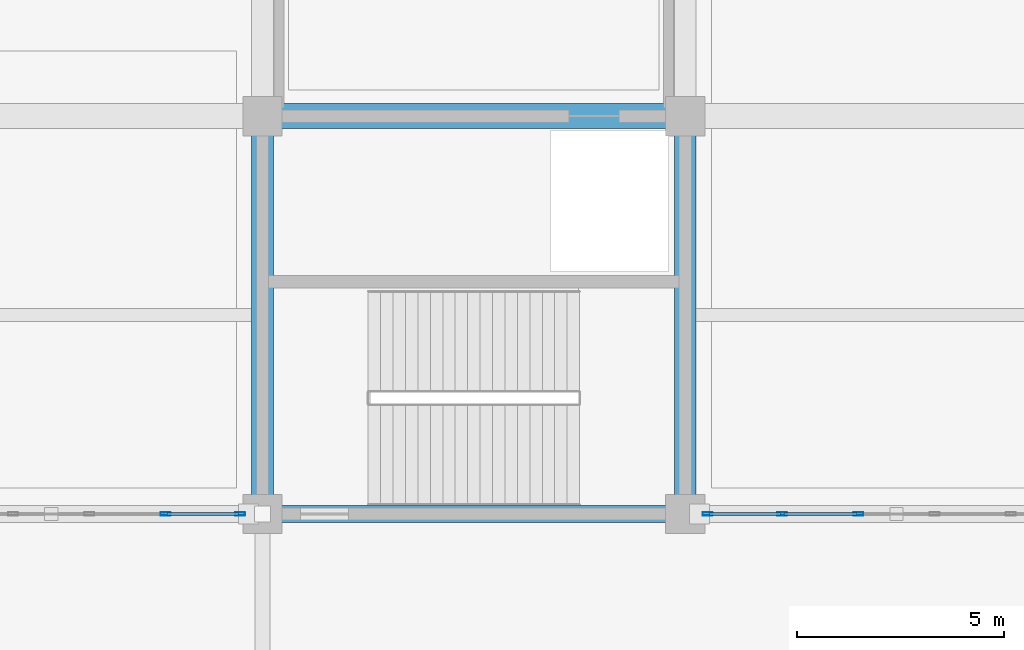
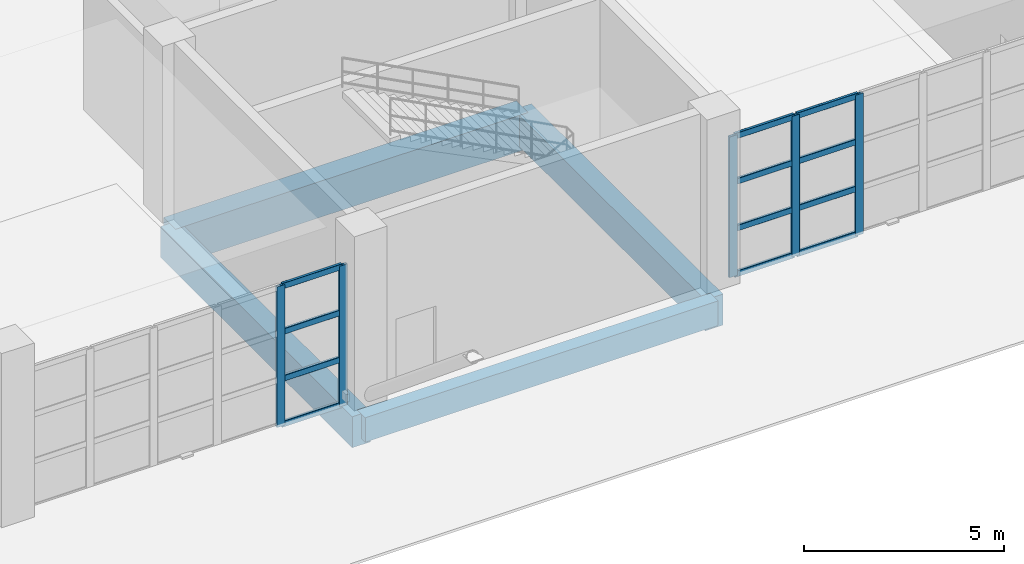
# One storey, part 58 of 124: 17 members, 4 beams, 2 elements without a shape of their own.
"""IFC4 building model written with IfcOpenShell, lengths in metres."""

from ifc_helpers import new_model, si_unit, direction, frame, origin, origin_2d, place, context, subcontext, project, spatial, rectangle, hollow_rectangle, extrude, material, material_profile, profile_set, type_object, element, aggregate, save


model = new_model("IFC4")

# Units and contexts
model_context = context("Model", 3, precision=1e-05, world=origin(), true_north=direction((0.0, 1.0)))
body_context = subcontext(model_context, "Body", "Model", "MODEL_VIEW")
ifc_project = project(units=[si_unit("LENGTHUNIT", "METRE"), si_unit("AREAUNIT", "SQUARE_METRE"), si_unit("VOLUMEUNIT", "CUBIC_METRE"), si_unit("PLANEANGLEUNIT", "RADIAN"), si_unit("MASSUNIT", "GRAM", prefix="KILO")], contexts=[model_context])

# Site, building, storey
site_placement = place(None, origin())
site = spatial("IfcSite", under=ifc_project, at=site_placement, CompositionType="ELEMENT")
building_placement = place(site_placement, origin())
building = spatial("IfcBuilding", under=site, at=building_placement, Name="Brelvane Convention Centre", CompositionType="ELEMENT")
storey_placement = place(building_placement, origin())
storey = spatial("IfcBuildingStorey", under=building, at=storey_placement, Name="L00", CompositionType="ELEMENT", Elevation=0.0)

# Curtain wall, members
ifc_material_1 = material(Name="Anodised Aluminium Alloy 6063-T6", Category="aluminium")
curtain_wall_type = type_object("IfcCurtainWallType", Name="Curtain Wall CW-CONC", PredefinedType="USERDEFINED", material=ifc_material_1)
curtain_wall_1_placement = place(storey_placement, origin())
curtain_wall_1 = element("IfcCurtainWall", 1, at=curtain_wall_1_placement, inside=storey, type_object=curtain_wall_type, Name="Curtain Wall CW-CONC L00-V1S-19", ObjectType="UNITISED", PredefinedType="USERDEFINED")
ifc_material_2 = material(Name="Anodised Aluminium Alloy 6063-T6", Category="aluminium")
ifc_material_profile_1 = material_profile(ifc_material_2, hollow_rectangle(XDim=0.080078125, YDim=0.239990234375, WallThickness=0.006103515625, InnerFilletRadius=0.006103515625, OuterFilletRadius=0.011962890625, at=origin_2d()), Name="ALU-M 240x80x6.0")
ifc_profile_set_1 = profile_set([ifc_material_profile_1], Name="Anodised Aluminium Alloy 6063-T6")
member_type_1 = type_object("IfcMemberType", Name="Curtain Mullion CW-M1", PredefinedType="MULLION", material=ifc_profile_set_1)
member_1_placement = place(storey_placement, frame((191.4599609375, 19.199951171875, 0.0), z_axis=(0.0, 0.0, 1.0), x_axis=(0.0, 1.0, 0.0)))
member_1 = element("IfcMember", 2, at=member_1_placement, type_object=member_type_1, Name="CW-CONC mullion 5", PredefinedType="MULLION", context=body_context, shape_type="SweptSolid", body=[
    extrude(hollow_rectangle(XDim=0.080078125, YDim=0.239990234375, WallThickness=0.006103515625, InnerFilletRadius=0.006103515625, OuterFilletRadius=0.011962890625, at=origin_2d()), origin(), (0.0, 0.0, 1.0), 4.300048828125),
])
member_2_placement = place(storey_placement, frame((193.260009765625, 19.199951171875, 0.0), z_axis=(0.0, 0.0, 1.0), x_axis=(0.0, 1.0, 0.0)))
member_2 = element("IfcMember", 3, at=member_2_placement, type_object=member_type_1, Name="CW-CONC mullion 6", PredefinedType="MULLION", context=body_context, shape_type="SweptSolid", body=[
    extrude(hollow_rectangle(XDim=0.080078125, YDim=0.239990234375, WallThickness=0.006103515625, InnerFilletRadius=0.006103515625, OuterFilletRadius=0.011962890625, at=origin_2d()), origin(), (0.0, 0.0, 1.0), 4.300048828125),
])

curtain_wall_2_placement = place(storey_placement, origin())
curtain_wall_2 = element("IfcCurtainWall", 4, at=curtain_wall_2_placement, inside=storey, type_object=curtain_wall_type, Name="Curtain Wall CW-CONC L00-V1S-21", ObjectType="UNITISED", PredefinedType="USERDEFINED")
member_3_placement = place(storey_placement, frame((204.5400390625, 19.199951171875, 0.0), z_axis=(0.0, 0.0, 1.0), x_axis=(0.0, 1.0, 0.0)))
member_3 = element("IfcMember", 5, at=member_3_placement, type_object=member_type_1, Name="CW-CONC mullion 1", PredefinedType="MULLION", context=body_context, shape_type="SweptSolid", body=[
    extrude(hollow_rectangle(XDim=0.080078125, YDim=0.239990234375, WallThickness=0.006103515625, InnerFilletRadius=0.006103515625, OuterFilletRadius=0.011962890625, at=origin_2d()), origin(), (0.0, 0.0, 1.0), 4.300048828125),
])
member_4_placement = place(storey_placement, frame((206.340087890625, 19.199951171875, 0.0), z_axis=(0.0, 0.0, 1.0), x_axis=(0.0, 1.0, 0.0)))
member_4 = element("IfcMember", 6, at=member_4_placement, type_object=member_type_1, Name="CW-CONC mullion 2", PredefinedType="MULLION", context=body_context, shape_type="SweptSolid", body=[
    extrude(hollow_rectangle(XDim=0.080078125, YDim=0.239990234375, WallThickness=0.006103515625, InnerFilletRadius=0.006103515625, OuterFilletRadius=0.011962890625, at=origin_2d()), origin(), (0.0, 0.0, 1.0), 4.300048828125),
])
member_5_placement = place(storey_placement, frame((208.179931640625, 19.199951171875, 0.0), z_axis=(0.0, 0.0, 1.0), x_axis=(0.0, 1.0, 0.0)))
member_5 = element("IfcMember", 7, at=member_5_placement, type_object=member_type_1, Name="CW-CONC mullion 3", PredefinedType="MULLION", context=body_context, shape_type="SweptSolid", body=[
    extrude(hollow_rectangle(XDim=0.080078125, YDim=0.239990234375, WallThickness=0.006103515625, InnerFilletRadius=0.006103515625, OuterFilletRadius=0.011962890625, at=origin_2d()), origin(), (0.0, 0.0, 1.0), 4.300048828125),
])

# Member
ifc_material_3 = material(Name="Anodised Aluminium Alloy 6063-T6", Category="aluminium")
ifc_material_profile_2 = material_profile(ifc_material_3, hollow_rectangle(XDim=0.080078125, YDim=0.179931640625, WallThickness=0.0048828125, InnerFilletRadius=0.0048828125, OuterFilletRadius=0.010009765625, at=origin_2d()), Name="ALU-T 180x80x5.0")
ifc_profile_set_2 = profile_set([ifc_material_profile_2], Name="Anodised Aluminium Alloy 6063-T6")
member_type_2 = type_object("IfcMemberType", Name="Curtain Transom CW-T1", PredefinedType="USERDEFINED", material=ifc_profile_set_2)
member_6_placement = place(storey_placement, frame((191.5, 19.199951171875, 0.0400390625), z_axis=(1.0, 0.0, 0.0), x_axis=(0.0, 1.0, 0.0)))
member_6 = element("IfcMember", 8, at=member_6_placement, type_object=member_type_2, Name="CW-CONC transom 5.1", ObjectType="TRANSOM", PredefinedType="USERDEFINED", context=body_context, shape_type="SweptSolid", body=[
    extrude(hollow_rectangle(XDim=0.080078125, YDim=0.179931640625, WallThickness=0.0048828125, InnerFilletRadius=0.0048828125, OuterFilletRadius=0.010009765625, at=origin_2d()), origin(), (0.0, 0.0, 1.0), 1.719970703125),
])

member_7_placement = place(storey_placement, frame((191.5, 19.199951171875, 1.433349609375), z_axis=(1.0, 0.0, 0.0), x_axis=(0.0, 1.0, 0.0)))
member_7 = element("IfcMember", 9, at=member_7_placement, type_object=member_type_2, Name="CW-CONC transom 5.2", ObjectType="TRANSOM", PredefinedType="USERDEFINED", context=body_context, shape_type="SweptSolid", body=[
    extrude(hollow_rectangle(XDim=0.080078125, YDim=0.179931640625, WallThickness=0.0048828125, InnerFilletRadius=0.0048828125, OuterFilletRadius=0.010009765625, at=origin_2d()), origin(), (0.0, 0.0, 1.0), 1.719970703125),
])

member_8_placement = place(storey_placement, frame((191.5, 19.199951171875, 2.86669921875), z_axis=(1.0, 0.0, 0.0), x_axis=(0.0, 1.0, 0.0)))
member_8 = element("IfcMember", 10, at=member_8_placement, type_object=member_type_2, Name="CW-CONC transom 5.3", ObjectType="TRANSOM", PredefinedType="USERDEFINED", context=body_context, shape_type="SweptSolid", body=[
    extrude(hollow_rectangle(XDim=0.080078125, YDim=0.179931640625, WallThickness=0.0048828125, InnerFilletRadius=0.0048828125, OuterFilletRadius=0.010009765625, at=origin_2d()), origin(), (0.0, 0.0, 1.0), 1.719970703125),
])

member_9_placement = place(storey_placement, frame((191.5, 19.199951171875, 4.260009765625), z_axis=(1.0, 0.0, 0.0), x_axis=(0.0, 1.0, 0.0)))
member_9 = element("IfcMember", 11, at=member_9_placement, type_object=member_type_2, Name="CW-CONC transom 5.4", ObjectType="TRANSOM", PredefinedType="USERDEFINED", context=body_context, shape_type="SweptSolid", body=[
    extrude(hollow_rectangle(XDim=0.080078125, YDim=0.179931640625, WallThickness=0.0048828125, InnerFilletRadius=0.0048828125, OuterFilletRadius=0.010009765625, at=origin_2d()), origin(), (0.0, 0.0, 1.0), 1.719970703125),
])

aggregate(curtain_wall_1, [member_1, member_2, member_6, member_7, member_8, member_9])

member_10_placement = place(storey_placement, frame((204.580078125, 19.199951171875, 0.0400390625), z_axis=(1.0, 0.0, 0.0), x_axis=(0.0, 1.0, 0.0)))
member_10 = element("IfcMember", 12, at=member_10_placement, type_object=member_type_2, Name="CW-CONC transom 1.1", ObjectType="TRANSOM", PredefinedType="USERDEFINED", context=body_context, shape_type="SweptSolid", body=[
    extrude(hollow_rectangle(XDim=0.080078125, YDim=0.179931640625, WallThickness=0.0048828125, InnerFilletRadius=0.0048828125, OuterFilletRadius=0.010009765625, at=origin_2d()), origin(), (0.0, 0.0, 1.0), 1.719970703125),
])

member_11_placement = place(storey_placement, frame((204.580078125, 19.199951171875, 1.433349609375), z_axis=(1.0, 0.0, 0.0), x_axis=(0.0, 1.0, 0.0)))
member_11 = element("IfcMember", 13, at=member_11_placement, type_object=member_type_2, Name="CW-CONC transom 1.2", ObjectType="TRANSOM", PredefinedType="USERDEFINED", context=body_context, shape_type="SweptSolid", body=[
    extrude(hollow_rectangle(XDim=0.080078125, YDim=0.179931640625, WallThickness=0.0048828125, InnerFilletRadius=0.0048828125, OuterFilletRadius=0.010009765625, at=origin_2d()), origin(), (0.0, 0.0, 1.0), 1.719970703125),
])

member_12_placement = place(storey_placement, frame((204.580078125, 19.199951171875, 2.86669921875), z_axis=(1.0, 0.0, 0.0), x_axis=(0.0, 1.0, 0.0)))
member_12 = element("IfcMember", 14, at=member_12_placement, type_object=member_type_2, Name="CW-CONC transom 1.3", ObjectType="TRANSOM", PredefinedType="USERDEFINED", context=body_context, shape_type="SweptSolid", body=[
    extrude(hollow_rectangle(XDim=0.080078125, YDim=0.179931640625, WallThickness=0.0048828125, InnerFilletRadius=0.0048828125, OuterFilletRadius=0.010009765625, at=origin_2d()), origin(), (0.0, 0.0, 1.0), 1.719970703125),
])

member_13_placement = place(storey_placement, frame((204.580078125, 19.199951171875, 4.260009765625), z_axis=(1.0, 0.0, 0.0), x_axis=(0.0, 1.0, 0.0)))
member_13 = element("IfcMember", 15, at=member_13_placement, type_object=member_type_2, Name="CW-CONC transom 1.4", ObjectType="TRANSOM", PredefinedType="USERDEFINED", context=body_context, shape_type="SweptSolid", body=[
    extrude(hollow_rectangle(XDim=0.080078125, YDim=0.179931640625, WallThickness=0.0048828125, InnerFilletRadius=0.0048828125, OuterFilletRadius=0.010009765625, at=origin_2d()), origin(), (0.0, 0.0, 1.0), 1.719970703125),
])

member_14_placement = place(storey_placement, frame((206.3798828125, 19.199951171875, 0.0400390625), z_axis=(1.0, 0.0, 0.0), x_axis=(0.0, 1.0, 0.0)))
member_14 = element("IfcMember", 16, at=member_14_placement, type_object=member_type_2, Name="CW-CONC transom 2.1", ObjectType="TRANSOM", PredefinedType="USERDEFINED", context=body_context, shape_type="SweptSolid", body=[
    extrude(hollow_rectangle(XDim=0.080078125, YDim=0.179931640625, WallThickness=0.0048828125, InnerFilletRadius=0.0048828125, OuterFilletRadius=0.010009765625, at=origin_2d()), origin(), (0.0, 0.0, 1.0), 1.760009765625),
])

member_15_placement = place(storey_placement, frame((206.3798828125, 19.199951171875, 1.433349609375), z_axis=(1.0, 0.0, 0.0), x_axis=(0.0, 1.0, 0.0)))
member_15 = element("IfcMember", 17, at=member_15_placement, type_object=member_type_2, Name="CW-CONC transom 2.2", ObjectType="TRANSOM", PredefinedType="USERDEFINED", context=body_context, shape_type="SweptSolid", body=[
    extrude(hollow_rectangle(XDim=0.080078125, YDim=0.179931640625, WallThickness=0.0048828125, InnerFilletRadius=0.0048828125, OuterFilletRadius=0.010009765625, at=origin_2d()), origin(), (0.0, 0.0, 1.0), 1.760009765625),
])

member_16_placement = place(storey_placement, frame((206.3798828125, 19.199951171875, 2.86669921875), z_axis=(1.0, 0.0, 0.0), x_axis=(0.0, 1.0, 0.0)))
member_16 = element("IfcMember", 18, at=member_16_placement, type_object=member_type_2, Name="CW-CONC transom 2.3", ObjectType="TRANSOM", PredefinedType="USERDEFINED", context=body_context, shape_type="SweptSolid", body=[
    extrude(hollow_rectangle(XDim=0.080078125, YDim=0.179931640625, WallThickness=0.0048828125, InnerFilletRadius=0.0048828125, OuterFilletRadius=0.010009765625, at=origin_2d()), origin(), (0.0, 0.0, 1.0), 1.760009765625),
])

member_17_placement = place(storey_placement, frame((206.3798828125, 19.199951171875, 4.260009765625), z_axis=(1.0, 0.0, 0.0), x_axis=(0.0, 1.0, 0.0)))
member_17 = element("IfcMember", 19, at=member_17_placement, type_object=member_type_2, Name="CW-CONC transom 2.4", ObjectType="TRANSOM", PredefinedType="USERDEFINED", context=body_context, shape_type="SweptSolid", body=[
    extrude(hollow_rectangle(XDim=0.080078125, YDim=0.179931640625, WallThickness=0.0048828125, InnerFilletRadius=0.0048828125, OuterFilletRadius=0.010009765625, at=origin_2d()), origin(), (0.0, 0.0, 1.0), 1.760009765625),
])

aggregate(curtain_wall_2, [member_3, member_4, member_5, member_10, member_11, member_12, member_13, member_14, member_15, member_16, member_17])

# Beams
ifc_material_4 = material(Name="Concrete M50", Category="concrete")
ifc_material_profile_3 = material_profile(ifc_material_4, rectangle(XDim=0.60009765625, YDim=1.10009765625, at=origin_2d()), Name="RC 600x1100")
ifc_profile_set_3 = profile_set([ifc_material_profile_3], Name="Concrete M50")
beam_type_1 = type_object("IfcBeamType", Name="RC Beam B-RC2 (RC 600x1100)", PredefinedType="BEAM", material=ifc_profile_set_3)
beam_1_placement = place(storey_placement, frame((193.800048828125, 28.800048828125, -1.010009765625), z_axis=(1.0, 0.0, 0.0), x_axis=(0.0, 1.0, 0.0)))
element("IfcBeam", 20, at=beam_1_placement, inside=storey, type_object=beam_type_1, Name="L00 Beam 20-21/D", PredefinedType="BEAM", context=body_context, shape_type="SweptSolid", body=[
    extrude(rectangle(XDim=0.60009765625, YDim=1.10009765625, at=origin_2d()), origin(), (0.0, 0.0, 1.0), 10.199951171875),
])
ifc_material_5 = material(Name="Concrete M50", Category="concrete")
ifc_material_profile_4 = material_profile(ifc_material_5, rectangle(XDim=0.52001953125, YDim=0.949951171875, at=origin_2d()), Name="RC 520x950")
ifc_profile_set_4 = profile_set([ifc_material_profile_4], Name="Concrete M50")
beam_type_2 = type_object("IfcBeamType", Name="RC Beam B-RC9 (RC 520x950)", PredefinedType="BEAM", material=ifc_profile_set_4)
for number, where, z_axis, x_axis, name in (
    (21, (193.800048828125, 19.199951171875, -0.93505859375), (0.0, 1.0, 0.0), (-1.0, 0.0, 0.0), "L00 Girder 20/C-D"),
    (22, (204.0, 19.199951171875, -0.93505859375), (0.0, 1.0, 0.0), (-1.0, 0.0, 0.0), "L00 Girder 21/C-D"),
):
    element("IfcBeam", number, at=place(storey_placement, frame(where, z_axis=z_axis, x_axis=x_axis)), inside=storey, type_object=beam_type_2, Name=name, PredefinedType="BEAM", context=body_context, shape_type="SweptSolid", body=[
        extrude(rectangle(XDim=0.52001953125, YDim=0.949951171875, at=origin_2d()), origin(), (0.0, 0.0, 1.0), 9.60009765625),
    ])
ifc_material_6 = material(Name="Concrete M40", Category="concrete")
ifc_material_profile_5 = material_profile(ifc_material_6, rectangle(XDim=0.39990234375, YDim=0.75, at=origin_2d()), Name="RC 400x750")
ifc_profile_set_5 = profile_set([ifc_material_profile_5], Name="Concrete M40")
beam_type_3 = type_object("IfcBeamType", Name="RC Spandrel SP-RC1 (RC 400x750)", PredefinedType="SPANDREL", material=ifc_profile_set_5)
beam_2_placement = place(storey_placement, frame((193.800048828125, 19.199951171875, -0.8349609375), z_axis=(1.0, 0.0, 0.0), x_axis=(0.0, 1.0, 0.0)))
element("IfcBeam", 23, at=beam_2_placement, inside=storey, type_object=beam_type_3, Name="L00 Beam 20-21/C", PredefinedType="SPANDREL", context=body_context, shape_type="SweptSolid", body=[
    extrude(rectangle(XDim=0.39990234375, YDim=0.75, at=origin_2d()), origin(), (0.0, 0.0, 1.0), 10.199951171875),
])

save(model, "model.ifc")
